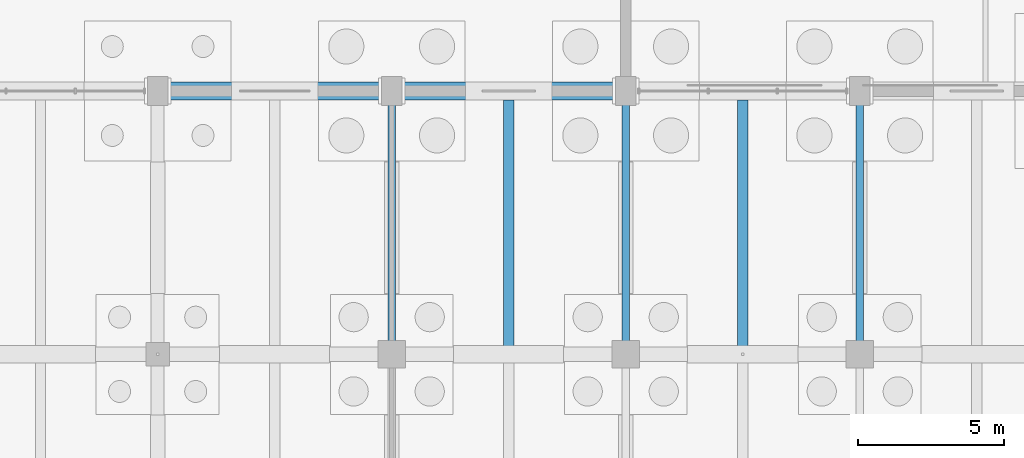
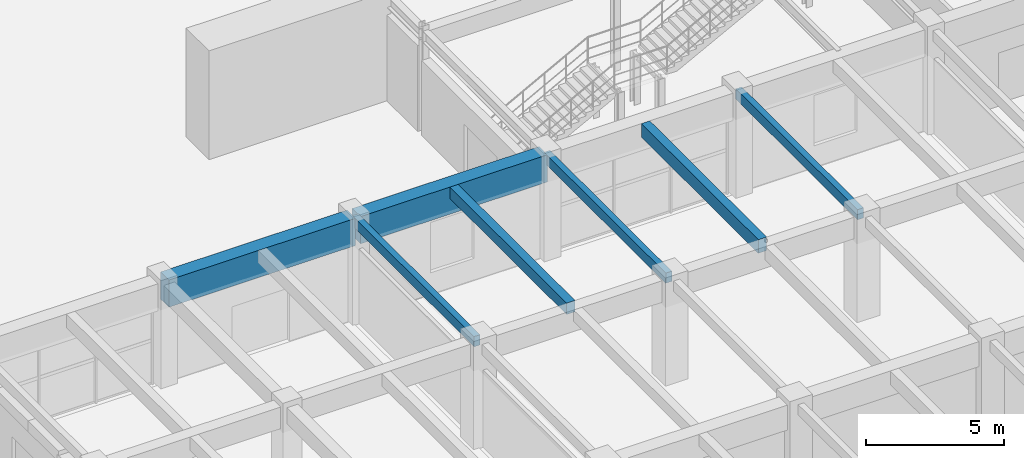
# One storey, part 30 of 147: 7 beams.
"""IFC4 building model written with IfcOpenShell, lengths in metres."""

from ifc_helpers import new_model, si_unit, direction, frame, origin, origin_2d, place, context, subcontext, project, spatial, rectangle, extrude, material, material_profile, profile_set, type_object, element, save


model = new_model("IFC4")

# Units and contexts
model_context = context("Model", 3, precision=1e-05, world=origin(), true_north=direction((0.0, 1.0)))
body_context = subcontext(model_context, "Body", "Model", "MODEL_VIEW")
ifc_project = project(units=[si_unit("LENGTHUNIT", "METRE"), si_unit("AREAUNIT", "SQUARE_METRE"), si_unit("VOLUMEUNIT", "CUBIC_METRE"), si_unit("PLANEANGLEUNIT", "RADIAN"), si_unit("MASSUNIT", "GRAM", prefix="KILO")], contexts=[model_context])

# Site, building, storey
site_placement = place(None, origin())
site = spatial("IfcSite", under=ifc_project, at=site_placement, CompositionType="ELEMENT")
building_placement = place(site_placement, origin())
building = spatial("IfcBuilding", under=site, at=building_placement, Name="Varnabhumi Central Station", CompositionType="ELEMENT")
storey_placement = place(building_placement, origin())
storey = spatial("IfcBuildingStorey", under=building, at=storey_placement, Name="L00", CompositionType="ELEMENT", Elevation=0.0)

# Beams
ifc_material_1 = material(Name="Concrete M50", Category="concrete")
ifc_material_profile_1 = material_profile(ifc_material_1, rectangle(XDim=0.60009765625, YDim=1.199951171875, at=origin_2d()), Name="Concrete M50", Category="concrete")
ifc_profile_set_1 = profile_set([ifc_material_profile_1], Name="Concrete M50")
beam_type_1 = type_object("IfcBeamType", Name="BM-RC-1200x600", PredefinedType="BEAM", material=ifc_profile_set_1)
for number, where, z_axis, x_axis, name in (
    (1, (8.10009765625, 36.0, 3.949951171875), (1.0, 0.0, 0.0), (0.0, 1.0, 0.0), "Beam L00-E:2-3"),
    (2, (16.10009765625, 36.0, 3.949951171875), (1.0, 0.0, 0.0), (0.0, 1.0, 0.0), "Beam L00-E:3-4"),
):
    element("IfcBeam", number, at=place(storey_placement, frame(where, z_axis=z_axis, x_axis=x_axis)), inside=storey, type_object=beam_type_1, Name=name, PredefinedType="BEAM", context=body_context, shape_type="SweptSolid", body=[
        extrude(rectangle(XDim=0.60009765625, YDim=1.199951171875, at=origin_2d()), origin(), (0.0, 0.0, 1.0), 7.7998046875),
    ])
ifc_material_2 = material(Name="Concrete M35", Category="concrete")
ifc_material_profile_2 = material_profile(ifc_material_2, rectangle(XDim=0.25, YDim=0.449951171875, at=origin_2d()), Name="Concrete M35", Category="concrete")
ifc_profile_set_2 = profile_set([ifc_material_profile_2], Name="Concrete M35")
beam_type_2 = type_object("IfcBeamType", Name="BM-RC-250x450", PredefinedType="LINTEL", material=ifc_profile_set_2)
for number, where, z_axis, x_axis, name in (
    (3, (16.0, 27.10009765625, 4.324951171875), (0.0, 1.0, 0.0), (-1.0, 0.0, 0.0), "Beam L00-3:D-E"),
    (4, (24.0, 27.10009765625, 4.324951171875), (0.0, 1.0, 0.0), (-1.0, 0.0, 0.0), "Beam L00-4:D-E"),
    (5, (32.0, 27.10009765625, 4.324951171875), (0.0, 1.0, 0.0), (-1.0, 0.0, 0.0), "Beam L00-5:D-E"),
):
    element("IfcBeam", number, at=place(storey_placement, frame(where, z_axis=z_axis, x_axis=x_axis)), inside=storey, type_object=beam_type_2, Name=name, PredefinedType="LINTEL", context=body_context, shape_type="SweptSolid", body=[
        extrude(rectangle(XDim=0.25, YDim=0.449951171875, at=origin_2d()), origin(), (0.0, 0.0, 1.0), 8.7998046875),
    ])
ifc_material_3 = material(Name="Concrete M40", Category="concrete")
ifc_material_profile_3 = material_profile(ifc_material_3, rectangle(XDim=0.35009765625, YDim=0.5, at=origin_2d()), Name="Concrete M40", Category="concrete")
ifc_profile_set_3 = profile_set([ifc_material_profile_3], Name="Concrete M40")
beam_type_3 = type_object("IfcBeamType", Name="BM-RC-350x500", PredefinedType="JOIST", material=ifc_profile_set_3)
beam_1_placement = place(storey_placement, frame((20.0, 27.25, 4.300048828125), z_axis=(0.0, 1.0, 0.0), x_axis=(-1.0, 0.0, 0.0)))
element("IfcBeam", 6, at=beam_1_placement, inside=storey, type_object=beam_type_3, Name="Secondary Joist L00-3/4:D-E", PredefinedType="JOIST", context=body_context, shape_type="SweptSolid", body=[
    extrude(rectangle(XDim=0.35009765625, YDim=0.5, at=origin_2d()), origin(), (0.0, 0.0, 1.0), 8.449951171875),
])
ifc_material_profile_4 = material_profile(ifc_material_3, rectangle(XDim=0.35009765625, YDim=0.60009765625, at=origin_2d()), Name="Concrete M40", Category="concrete")
ifc_profile_set_4 = profile_set([ifc_material_profile_4], Name="Concrete M40")
beam_type_4 = type_object("IfcBeamType", Name="BM-RC-600x350", PredefinedType="JOIST", material=ifc_profile_set_4)
beam_2_placement = place(storey_placement, frame((28.0, 27.25, 4.25), z_axis=(0.0, 1.0, 0.0), x_axis=(-1.0, 0.0, 0.0)))
element("IfcBeam", 7, at=beam_2_placement, inside=storey, type_object=beam_type_4, Name="Secondary Joist L00-4/5:D-E", PredefinedType="JOIST", context=body_context, shape_type="SweptSolid", body=[
    extrude(rectangle(XDim=0.35009765625, YDim=0.60009765625, at=origin_2d()), origin(), (0.0, 0.0, 1.0), 8.449951171875),
])

save(model, "model.ifc")
